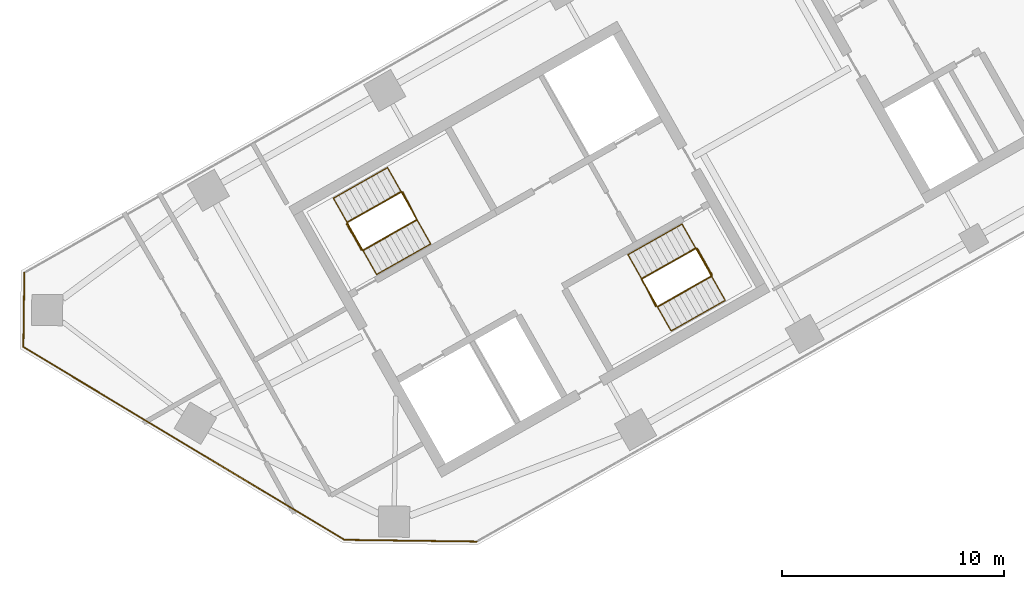
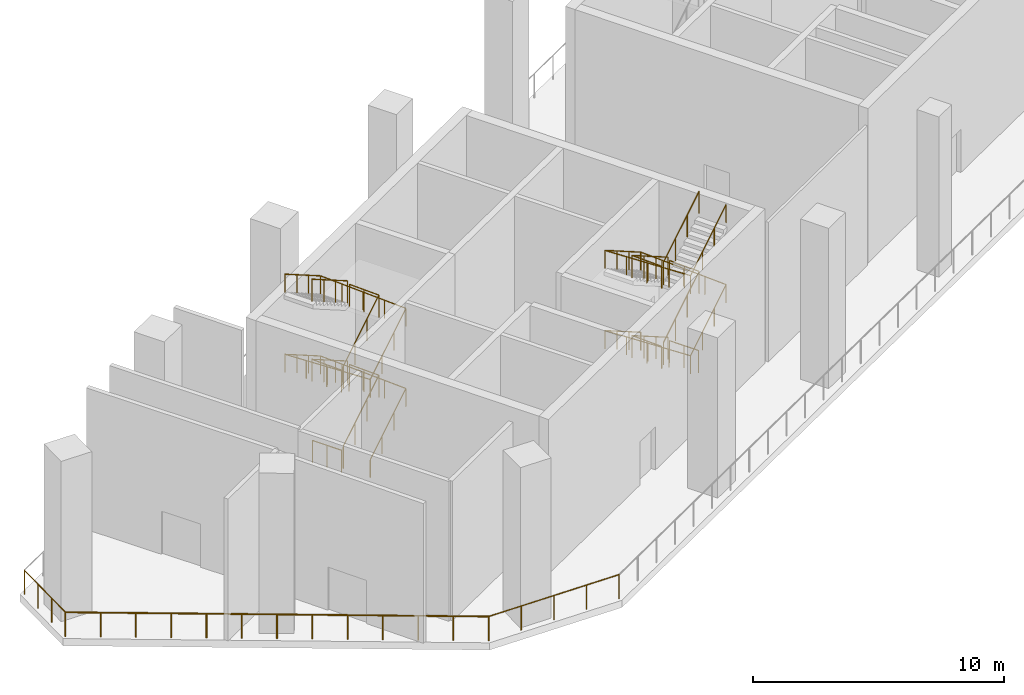
# One storey, part 6 of 8: 15 railings.
"""IFC4 building model written with IfcOpenShell, lengths in metres."""

from ifc_helpers import new_model, si_unit, direction, frame, origin, origin_2d, place, context, subcontext, project, spatial, circle, extrude, material, type_object, element, save


model = new_model("IFC4")

# Units and contexts
model_context = context("Model", 3, precision=1e-05, world=origin(), true_north=direction((0.0, 1.0)))
body_context = subcontext(model_context, "Body", "Model", "MODEL_VIEW")
ifc_project = project(units=[si_unit("LENGTHUNIT", "METRE"), si_unit("AREAUNIT", "SQUARE_METRE"), si_unit("VOLUMEUNIT", "CUBIC_METRE"), si_unit("PLANEANGLEUNIT", "RADIAN"), si_unit("MASSUNIT", "GRAM", prefix="KILO")], contexts=[model_context])

# Site, building, storey
site_placement = place(None, origin())
site = spatial("IfcSite", under=ifc_project, at=site_placement, CompositionType="ELEMENT")
building_placement = place(site_placement, origin())
building = spatial("IfcBuilding", under=site, at=building_placement, Name="Binnacle Exchange Tower", CompositionType="ELEMENT")
storey_placement = place(building_placement, frame((0.0, 0.0, 230.89990234375)))
storey = spatial("IfcBuildingStorey", under=building, at=storey_placement, Name="L51", CompositionType="ELEMENT", Elevation=230.89990234375)

# Railings
ifc_material_1 = material(Name="Bronze anodised aluminium frame", Category="aluminium")
railing_type_1 = type_object("IfcRailingType", Name="GUARD 1200", PredefinedType="GUARDRAIL", material=ifc_material_1)
railing_1_placement = place(storey_placement, frame((-44.1015625, 26.673828125, 0.0)))
element("IfcRailing", 1, at=railing_1_placement, inside=storey, type_object=railing_type_1, Name="Slab edge guard 1 L51", PredefinedType="GUARDRAIL", context=body_context, shape_type="SweptSolid", body=[
    extrude(circle(Radius=0.02392578125, at=origin_2d()), frame((0.0, 0.0, 1.17578125), z_axis=(-0.857164642958, 0.515042498113, 0.0), x_axis=(-0.515042498113, -0.857164642958, 0.0)), (0.0, 0.0, 1.0), 16.873291015625),
    extrude(circle(Radius=0.02099609375, at=origin_2d()), origin(), (0.0, 0.0, 1.0), 1.15185546875),
    extrude(circle(Radius=0.02099609375, at=origin_2d()), frame((-1.205322265625, 0.72412109375, 0.0)), (0.0, 0.0, 1.0), 1.15185546875),
    extrude(circle(Radius=0.02099609375, at=origin_2d()), frame((-2.41064453125, 1.448486328125, 0.0)), (0.0, 0.0, 1.0), 1.15185546875),
    extrude(circle(Radius=0.02099609375, at=origin_2d()), frame((-3.61572265625, 2.172607421875, 0.0)), (0.0, 0.0, 1.0), 1.15185546875),
    extrude(circle(Radius=0.02099609375, at=origin_2d()), frame((-4.821044921875, 2.896728515625, 0.0)), (0.0, 0.0, 1.0), 1.15185546875),
    extrude(circle(Radius=0.02099609375, at=origin_2d()), frame((-6.0263671875, 3.62109375, 0.0)), (0.0, 0.0, 1.0), 1.15185546875),
    extrude(circle(Radius=0.02099609375, at=origin_2d()), frame((-7.2314453125, 4.34521484375, 0.0)), (0.0, 0.0, 1.0), 1.15185546875),
    extrude(circle(Radius=0.02099609375, at=origin_2d()), frame((-8.436767578125, 5.0693359375, 0.0)), (0.0, 0.0, 1.0), 1.15185546875),
    extrude(circle(Radius=0.02099609375, at=origin_2d()), frame((-9.64208984375, 5.793701171875, 0.0)), (0.0, 0.0, 1.0), 1.15185546875),
    extrude(circle(Radius=0.02099609375, at=origin_2d()), frame((-10.847412109375, 6.517822265625, 0.0)), (0.0, 0.0, 1.0), 1.15185546875),
    extrude(circle(Radius=0.02099609375, at=origin_2d()), frame((-12.052734375, 7.241943359375, 0.0)), (0.0, 0.0, 1.0), 1.15185546875),
    extrude(circle(Radius=0.02099609375, at=origin_2d()), frame((-13.2578125, 7.96630859375, 0.0)), (0.0, 0.0, 1.0), 1.15185546875),
    extrude(circle(Radius=0.02099609375, at=origin_2d()), frame((-14.463134765625, 8.6904296875, 0.0)), (0.0, 0.0, 1.0), 1.15185546875),
])
railing_2_placement = place(storey_placement, frame((-58.564697265625, 35.3642578125, 0.0)))
element("IfcRailing", 2, at=railing_2_placement, inside=storey, type_object=railing_type_1, Name="Slab edge guard 2 L51", PredefinedType="GUARDRAIL", context=body_context, shape_type="SweptSolid", body=[
    extrude(circle(Radius=0.02392578125, at=origin_2d()), frame((0.0, 0.0, 1.17578125), z_axis=(0.013029395456, 0.999915113824, 0.0), x_axis=(-0.999915113824, 0.013029395456, 0.0)), (0.0, 0.0, 1.0), 3.35400390625),
    extrude(circle(Radius=0.02099609375, at=origin_2d()), origin(), (0.0, 0.0, 1.0), 1.15185546875),
    extrude(circle(Radius=0.02099609375, at=origin_2d()), frame((0.0146484375, 1.117919921875, 0.0)), (0.0, 0.0, 1.0), 1.15185546875),
    extrude(circle(Radius=0.02099609375, at=origin_2d()), frame((0.029052734375, 2.23583984375, 0.0)), (0.0, 0.0, 1.0), 1.15185546875),
    extrude(circle(Radius=0.02099609375, at=origin_2d()), frame((0.043701171875, 3.353759765625, 0.0)), (0.0, 0.0, 1.0), 1.15185546875),
])
railing_3_placement = place(storey_placement, frame((-38.136474609375, 26.595703125, 0.0)))
element("IfcRailing", 3, at=railing_3_placement, inside=storey, type_object=railing_type_1, Name="Slab edge guard 11 L51", PredefinedType="GUARDRAIL", context=body_context, shape_type="SweptSolid", body=[
    extrude(circle(Radius=0.02392578125, at=origin_2d()), frame((0.0, 0.0, 1.17578125), z_axis=(-0.999914244792, 0.013095917748, 0.0), x_axis=(-0.013095917748, -0.999914244792, 0.0)), (0.0, 0.0, 1.0), 5.965576171875),
    extrude(circle(Radius=0.02099609375, at=origin_2d()), origin(), (0.0, 0.0, 1.0), 1.15185546875),
    extrude(circle(Radius=0.02099609375, at=origin_2d()), frame((-1.4912109375, 0.01953125, 0.0)), (0.0, 0.0, 1.0), 1.15185546875),
    extrude(circle(Radius=0.02099609375, at=origin_2d()), frame((-2.982421875, 0.0390625, 0.0)), (0.0, 0.0, 1.0), 1.15185546875),
    extrude(circle(Radius=0.02099609375, at=origin_2d()), frame((-4.473876953125, 0.05859375, 0.0)), (0.0, 0.0, 1.0), 1.15185546875),
    extrude(circle(Radius=0.02099609375, at=origin_2d()), frame((-5.965087890625, 0.078125, 0.0)), (0.0, 0.0, 1.0), 1.15185546875),
])
ifc_material_2 = material(Name="Steel guard rail", Category="steel")
railing_type_2 = type_object("IfcRailingType", Name="STAIR GUARD 1100", PredefinedType="GUARDRAIL", material=ifc_material_2)
railing_4_placement = place(storey_placement, frame((-43.26171875, 39.71728515625, 0.177490234375)))
element("IfcRailing", 4, at=railing_4_placement, inside=storey, type_object=railing_type_2, Name="L51 STA1 stair guard 1", PredefinedType="GUARDRAIL", context=body_context, shape_type="SweptSolid", body=[
    extrude(circle(Radius=0.02392578125, at=origin_2d()), frame((0.0, 0.0, 1.076171875), z_axis=(0.735358749054, 0.416079564682, 0.534906819964), x_axis=(-0.492453686477, 0.870338650569, 0.0)), (0.0, 0.0, 1.0), 3.31396484375),
    extrude(circle(Radius=0.02392578125, at=origin_2d()), frame((2.43701171875, 1.37890625, 2.8486328125), z_axis=(-0.461100321709, 0.887348011391, 0.0), x_axis=(-0.887348011391, -0.461100321709, 0.0)), (0.0, 0.0, 1.0), 1.40087890625),
    extrude(circle(Radius=0.02099609375, at=origin_2d()), origin(), (0.0, 0.0, 1.0), 1.052001953125),
    extrude(circle(Radius=0.02099609375, at=origin_2d()), frame((0.812255859375, 0.459716796875, 0.5908203125)), (0.0, 0.0, 1.0), 1.052001953125),
    extrude(circle(Radius=0.02099609375, at=origin_2d()), frame((1.624755859375, 0.919189453125, 1.181884765625)), (0.0, 0.0, 1.0), 1.052001953125),
    extrude(circle(Radius=0.02099609375, at=origin_2d()), frame((2.43701171875, 1.37890625, 1.772705078125)), (0.0, 0.0, 1.0), 1.052001953125),
    extrude(circle(Radius=0.02099609375, at=origin_2d()), frame((2.114013671875, 2.00048828125, 1.772705078125)), (0.0, 0.0, 1.0), 1.052001953125),
    extrude(circle(Radius=0.02099609375, at=origin_2d()), frame((1.791015625, 2.6220703125, 1.772705078125)), (0.0, 0.0, 1.0), 1.052001953125),
])
railing_5_placement = place(storey_placement, frame((-41.538818359375, 42.358154296875, 2.12744140625)))
element("IfcRailing", 5, at=railing_5_placement, inside=storey, type_object=railing_type_2, Name="L51 STA1 stair guard 2", PredefinedType="GUARDRAIL", context=body_context, shape_type="SweptSolid", body=[
    extrude(circle(Radius=0.02392578125, at=origin_2d()), frame((0.0, 0.0, 1.076171875), z_axis=(-0.735358749054, -0.416079564682, 0.534906819964), x_axis=(0.492453686477, -0.870338650569, 0.0)), (0.0, 0.0, 1.0), 3.31396484375),
    extrude(circle(Radius=0.02392578125, at=origin_2d()), frame((-2.43701171875, -1.37890625, 2.8486328125), z_axis=(0.461171632143, -0.887310952094, 0.0), x_axis=(0.887310952094, 0.461171632143, 0.0)), (0.0, 0.0, 1.0), 1.40087890625),
    extrude(circle(Radius=0.02099609375, at=origin_2d()), origin(), (0.0, 0.0, 1.0), 1.052001953125),
    extrude(circle(Radius=0.02099609375, at=origin_2d()), frame((-0.812255859375, -0.459716796875, 0.5908203125)), (0.0, 0.0, 1.0), 1.052001953125),
    extrude(circle(Radius=0.02099609375, at=origin_2d()), frame((-1.624755859375, -0.919189453125, 1.181884765625)), (0.0, 0.0, 1.0), 1.052001953125),
    extrude(circle(Radius=0.02099609375, at=origin_2d()), frame((-2.43701171875, -1.37890625, 1.772705078125)), (0.0, 0.0, 1.0), 1.052001953125),
    extrude(circle(Radius=0.02099609375, at=origin_2d()), frame((-2.114013671875, -2.00048828125, 1.772705078125)), (0.0, 0.0, 1.0), 1.052001953125),
    extrude(circle(Radius=0.02099609375, at=origin_2d()), frame((-1.791015625, -2.621826171875, 1.772705078125)), (0.0, 0.0, 1.0), 1.052001953125),
])
railing_6_placement = place(storey_placement, frame((-43.26171875, 39.71728515625, 4.077392578125)))
element("IfcRailing", 6, at=railing_6_placement, inside=storey, type_object=railing_type_2, Name="L51 STA1 stair guard 3", PredefinedType="GUARDRAIL", context=body_context, shape_type="SweptSolid", body=[
    extrude(circle(Radius=0.02392578125, at=origin_2d()), frame((0.0, 0.0, 1.076171875), z_axis=(0.735358749054, 0.416079564682, 0.534906819964), x_axis=(-0.492453686477, 0.870338650569, 0.0)), (0.0, 0.0, 1.0), 3.31396484375),
    extrude(circle(Radius=0.02392578125, at=origin_2d()), frame((2.43701171875, 1.37890625, 2.8486328125), z_axis=(-0.461100321709, 0.887348011391, 0.0), x_axis=(-0.887348011391, -0.461100321709, 0.0)), (0.0, 0.0, 1.0), 1.40087890625),
    extrude(circle(Radius=0.02099609375, at=origin_2d()), origin(), (0.0, 0.0, 1.0), 1.052001953125),
    extrude(circle(Radius=0.02099609375, at=origin_2d()), frame((0.812255859375, 0.459716796875, 0.5908203125)), (0.0, 0.0, 1.0), 1.052001953125),
    extrude(circle(Radius=0.02099609375, at=origin_2d()), frame((1.624755859375, 0.919189453125, 1.181884765625)), (0.0, 0.0, 1.0), 1.052001953125),
    extrude(circle(Radius=0.02099609375, at=origin_2d()), frame((2.43701171875, 1.37890625, 1.772705078125)), (0.0, 0.0, 1.0), 1.052001953125),
    extrude(circle(Radius=0.02099609375, at=origin_2d()), frame((2.114013671875, 2.00048828125, 1.772705078125)), (0.0, 0.0, 1.0), 1.052001953125),
    extrude(circle(Radius=0.02099609375, at=origin_2d()), frame((1.791015625, 2.6220703125, 1.772705078125)), (0.0, 0.0, 1.0), 1.052001953125),
])
railing_7_placement = place(storey_placement, frame((-41.538818359375, 42.358154296875, 6.02734375)))
element("IfcRailing", 7, at=railing_7_placement, inside=storey, type_object=railing_type_2, Name="L51 STA1 stair guard 4", PredefinedType="GUARDRAIL", context=body_context, shape_type="SweptSolid", body=[
    extrude(circle(Radius=0.02392578125, at=origin_2d()), frame((0.0, 0.0, 1.076171875), z_axis=(-0.735358749054, -0.416079564682, 0.534906819964), x_axis=(0.492453686477, -0.870338650569, 0.0)), (0.0, 0.0, 1.0), 3.31396484375),
    extrude(circle(Radius=0.02099609375, at=origin_2d()), origin(), (0.0, 0.0, 1.0), 1.052001953125),
    extrude(circle(Radius=0.02099609375, at=origin_2d()), frame((-0.812255859375, -0.459716796875, 0.5908203125)), (0.0, 0.0, 1.0), 1.052001953125),
    extrude(circle(Radius=0.02099609375, at=origin_2d()), frame((-1.624755859375, -0.919189453125, 1.181884765625)), (0.0, 0.0, 1.0), 1.052001953125),
    extrude(circle(Radius=0.02099609375, at=origin_2d()), frame((-2.43701171875, -1.37890625, 1.772705078125)), (0.0, 0.0, 1.0), 1.052001953125),
])
railing_8_placement = place(storey_placement, frame((-43.329833984375, 39.736328125, 0.0)))
element("IfcRailing", 8, at=railing_8_placement, inside=storey, type_object=railing_type_2, Name="L51 STA1 stair guard 5", PredefinedType="GUARDRAIL", context=body_context, shape_type="SweptSolid", body=[
    extrude(circle(Radius=0.02392578125, at=origin_2d()), frame((0.0, 0.0, 1.076171875), z_axis=(-0.4924922531, 0.870316827734, 0.0), x_axis=(-0.870316827734, -0.4924922531, 0.0)), (0.0, 0.0, 1.0), 1.349853515625),
    extrude(circle(Radius=0.02099609375, at=origin_2d()), origin(), (0.0, 0.0, 1.0), 1.052001953125),
    extrude(circle(Radius=0.02099609375, at=origin_2d()), frame((-0.33251953125, 0.58740234375, 0.0)), (0.0, 0.0, 1.0), 1.052001953125),
    extrude(circle(Radius=0.02099609375, at=origin_2d()), frame((-0.664794921875, 1.1748046875, 0.0)), (0.0, 0.0, 1.0), 1.052001953125),
])
railing_9_placement = place(storey_placement, frame((-28.265380859375, 39.814453125, 0.177490234375)))
element("IfcRailing", 9, at=railing_9_placement, inside=storey, type_object=railing_type_2, Name="L51 STA2 stair guard 1", PredefinedType="GUARDRAIL", context=body_context, shape_type="SweptSolid", body=[
    extrude(circle(Radius=0.02392578125, at=origin_2d()), frame((0.0, 0.0, 1.076171875), z_axis=(-0.735381288273, -0.416018647052, 0.534923215202), x_axis=(0.492387636113, -0.870376019777, 0.0)), (0.0, 0.0, 1.0), 3.31396484375),
    extrude(circle(Radius=0.02392578125, at=origin_2d()), frame((-2.43701171875, -1.378662109375, 2.8486328125), z_axis=(0.460963092712, -0.887419307406, 0.0), x_axis=(0.887419307406, 0.460963092712, 0.0)), (0.0, 0.0, 1.0), 1.40087890625),
    extrude(circle(Radius=0.02099609375, at=origin_2d()), origin(), (0.0, 0.0, 1.0), 1.052001953125),
    extrude(circle(Radius=0.02099609375, at=origin_2d()), frame((-0.812255859375, -0.45947265625, 0.5908203125)), (0.0, 0.0, 1.0), 1.052001953125),
    extrude(circle(Radius=0.02099609375, at=origin_2d()), frame((-1.624755859375, -0.919189453125, 1.181884765625)), (0.0, 0.0, 1.0), 1.052001953125),
    extrude(circle(Radius=0.02099609375, at=origin_2d()), frame((-2.43701171875, -1.378662109375, 1.772705078125)), (0.0, 0.0, 1.0), 1.052001953125),
    extrude(circle(Radius=0.02099609375, at=origin_2d()), frame((-2.1142578125, -2.000244140625, 1.772705078125)), (0.0, 0.0, 1.0), 1.052001953125),
    extrude(circle(Radius=0.02099609375, at=origin_2d()), frame((-1.791259765625, -2.621826171875, 1.772705078125)), (0.0, 0.0, 1.0), 1.052001953125),
])
railing_10_placement = place(storey_placement, frame((-29.988525390625, 37.173583984375, 2.12744140625)))
element("IfcRailing", 10, at=railing_10_placement, inside=storey, type_object=railing_type_2, Name="L51 STA2 stair guard 2", PredefinedType="GUARDRAIL", context=body_context, shape_type="SweptSolid", body=[
    extrude(circle(Radius=0.02392578125, at=origin_2d()), frame((0.0, 0.0, 1.076171875), z_axis=(0.735358749054, 0.416079564682, 0.534906819964), x_axis=(-0.492453686477, 0.870338650569, 0.0)), (0.0, 0.0, 1.0), 3.31396484375),
    extrude(circle(Radius=0.02392578125, at=origin_2d()), frame((2.43701171875, 1.37890625, 2.8486328125), z_axis=(-0.460963092712, 0.887419307406, 0.0), x_axis=(-0.887419307406, -0.460963092712, 0.0)), (0.0, 0.0, 1.0), 1.40087890625),
    extrude(circle(Radius=0.02099609375, at=origin_2d()), origin(), (0.0, 0.0, 1.0), 1.052001953125),
    extrude(circle(Radius=0.02099609375, at=origin_2d()), frame((0.812255859375, 0.459716796875, 0.5908203125)), (0.0, 0.0, 1.0), 1.052001953125),
    extrude(circle(Radius=0.02099609375, at=origin_2d()), frame((1.624755859375, 0.919189453125, 1.181884765625)), (0.0, 0.0, 1.0), 1.052001953125),
    extrude(circle(Radius=0.02099609375, at=origin_2d()), frame((2.43701171875, 1.37890625, 1.772705078125)), (0.0, 0.0, 1.0), 1.052001953125),
    extrude(circle(Radius=0.02099609375, at=origin_2d()), frame((2.1142578125, 2.00048828125, 1.772705078125)), (0.0, 0.0, 1.0), 1.052001953125),
    extrude(circle(Radius=0.02099609375, at=origin_2d()), frame((1.791259765625, 2.6220703125, 1.772705078125)), (0.0, 0.0, 1.0), 1.052001953125),
])
railing_11_placement = place(storey_placement, frame((-28.265380859375, 39.814453125, 4.077392578125)))
element("IfcRailing", 11, at=railing_11_placement, inside=storey, type_object=railing_type_2, Name="L51 STA2 stair guard 3", PredefinedType="GUARDRAIL", context=body_context, shape_type="SweptSolid", body=[
    extrude(circle(Radius=0.02392578125, at=origin_2d()), frame((0.0, 0.0, 1.076171875), z_axis=(-0.735381288273, -0.416018647052, 0.534923215202), x_axis=(0.492387636113, -0.870376019777, 0.0)), (0.0, 0.0, 1.0), 3.31396484375),
    extrude(circle(Radius=0.02392578125, at=origin_2d()), frame((-2.43701171875, -1.378662109375, 2.8486328125), z_axis=(0.460963092712, -0.887419307406, 0.0), x_axis=(0.887419307406, 0.460963092712, 0.0)), (0.0, 0.0, 1.0), 1.40087890625),
    extrude(circle(Radius=0.02099609375, at=origin_2d()), origin(), (0.0, 0.0, 1.0), 1.052001953125),
    extrude(circle(Radius=0.02099609375, at=origin_2d()), frame((-0.812255859375, -0.45947265625, 0.5908203125)), (0.0, 0.0, 1.0), 1.052001953125),
    extrude(circle(Radius=0.02099609375, at=origin_2d()), frame((-1.624755859375, -0.919189453125, 1.181884765625)), (0.0, 0.0, 1.0), 1.052001953125),
    extrude(circle(Radius=0.02099609375, at=origin_2d()), frame((-2.43701171875, -1.378662109375, 1.772705078125)), (0.0, 0.0, 1.0), 1.052001953125),
    extrude(circle(Radius=0.02099609375, at=origin_2d()), frame((-2.1142578125, -2.000244140625, 1.772705078125)), (0.0, 0.0, 1.0), 1.052001953125),
    extrude(circle(Radius=0.02099609375, at=origin_2d()), frame((-1.791259765625, -2.621826171875, 1.772705078125)), (0.0, 0.0, 1.0), 1.052001953125),
])
railing_12_placement = place(storey_placement, frame((-29.988525390625, 37.173583984375, 6.02734375)))
element("IfcRailing", 12, at=railing_12_placement, inside=storey, type_object=railing_type_2, Name="L51 STA2 stair guard 4", PredefinedType="GUARDRAIL", context=body_context, shape_type="SweptSolid", body=[
    extrude(circle(Radius=0.02392578125, at=origin_2d()), frame((0.0, 0.0, 1.076171875), z_axis=(0.735358749054, 0.416079564682, 0.534906819964), x_axis=(-0.492453686477, 0.870338650569, 0.0)), (0.0, 0.0, 1.0), 3.31396484375),
    extrude(circle(Radius=0.02099609375, at=origin_2d()), origin(), (0.0, 0.0, 1.0), 1.052001953125),
    extrude(circle(Radius=0.02099609375, at=origin_2d()), frame((0.812255859375, 0.459716796875, 0.5908203125)), (0.0, 0.0, 1.0), 1.052001953125),
    extrude(circle(Radius=0.02099609375, at=origin_2d()), frame((1.624755859375, 0.919189453125, 1.181884765625)), (0.0, 0.0, 1.0), 1.052001953125),
    extrude(circle(Radius=0.02099609375, at=origin_2d()), frame((2.43701171875, 1.37890625, 1.772705078125)), (0.0, 0.0, 1.0), 1.052001953125),
])
railing_13_placement = place(storey_placement, frame((-28.197265625, 39.795654296875, 0.0)))
element("IfcRailing", 13, at=railing_13_placement, inside=storey, type_object=railing_type_2, Name="L51 STA2 stair guard 5", PredefinedType="GUARDRAIL", context=body_context, shape_type="SweptSolid", body=[
    extrude(circle(Radius=0.02392578125, at=origin_2d()), frame((0.0, 0.0, 1.076171875), z_axis=(0.49241474071, -0.870360685654, 0.0), x_axis=(0.870360685654, 0.49241474071, 0.0)), (0.0, 0.0, 1.0), 1.35009765625),
    extrude(circle(Radius=0.02099609375, at=origin_2d()), origin(), (0.0, 0.0, 1.0), 1.052001953125),
    extrude(circle(Radius=0.02099609375, at=origin_2d()), frame((0.33251953125, -0.58740234375, 0.0)), (0.0, 0.0, 1.0), 1.052001953125),
    extrude(circle(Radius=0.02099609375, at=origin_2d()), frame((0.664794921875, -1.175048828125, 0.0)), (0.0, 0.0, 1.0), 1.052001953125),
])
ifc_material_3 = material(Name="Steel handrail", Category="steel")
railing_type_3 = type_object("IfcRailingType", Name="STAIR HANDRAIL 900", PredefinedType="HANDRAIL", material=ifc_material_3)
railing_14_placement = place(storey_placement, frame((-42.646240234375, 38.62939453125, 0.177490234375)))
element("IfcRailing", 14, at=railing_14_placement, inside=storey, type_object=railing_type_3, Name="L51 STA1 stair handrail 1", PredefinedType="HANDRAIL", context=body_context, shape_type="SweptSolid", body=[
    extrude(circle(Radius=0.02392578125, at=origin_2d()), frame((0.0, 0.0, 0.8759765625), z_axis=(0.735381288273, 0.416018647052, 0.534923215202), x_axis=(-0.492387636113, 0.870376019777, 0.0)), (0.0, 0.0, 1.0), 3.31396484375),
    extrude(circle(Radius=0.02392578125, at=origin_2d()), frame((2.43701171875, 1.378662109375, 2.6484375), z_axis=(-0.491918640963, 0.869486419234, 0.044826526087), x_axis=(-0.870361318571, -0.492413622004, 0.0)), (0.0, 0.0, 1.0), 3.9541015625),
    extrude(circle(Radius=0.02392578125, at=origin_2d()), frame((0.491943359375, 4.816650390625, 2.82568359375), z_axis=(-0.735381288273, -0.416018647052, 0.534923215202), x_axis=(0.492387636113, -0.870376019777, 0.0)), (0.0, 0.0, 1.0), 3.31396484375),
    extrude(circle(Radius=0.02392578125, at=origin_2d()), frame((-1.945068359375, 3.43798828125, 4.5986328125), z_axis=(0.491918640963, -0.869486419234, 0.044826526087), x_axis=(0.870361318571, 0.492413622004, 0.0)), (0.0, 0.0, 1.0), 3.9541015625),
    extrude(circle(Radius=0.02392578125, at=origin_2d()), frame((0.0, 0.0, 4.77587890625), z_axis=(0.735381288273, 0.416018647052, 0.534923215202), x_axis=(-0.492387636113, 0.870376019777, 0.0)), (0.0, 0.0, 1.0), 3.31396484375),
    extrude(circle(Radius=0.02392578125, at=origin_2d()), frame((2.43701171875, 1.378662109375, 6.54833984375), z_axis=(-0.491918640963, 0.869486419234, 0.044826526087), x_axis=(-0.870361318571, -0.492413622004, 0.0)), (0.0, 0.0, 1.0), 3.9541015625),
    extrude(circle(Radius=0.02392578125, at=origin_2d()), frame((0.491943359375, 4.816650390625, 6.7255859375), z_axis=(-0.735381288273, -0.416018647052, 0.534923215202), x_axis=(0.492387636113, -0.870376019777, 0.0)), (0.0, 0.0, 1.0), 3.31396484375),
    extrude(circle(Radius=0.02099609375, at=origin_2d()), origin(), (0.0, 0.0, 1.0), 0.851806640625),
    extrude(circle(Radius=0.02099609375, at=origin_2d()), frame((0.812255859375, 0.45947265625, 0.5908203125)), (0.0, 0.0, 1.0), 0.851806640625),
    extrude(circle(Radius=0.02099609375, at=origin_2d()), frame((1.624755859375, 0.919189453125, 1.181884765625)), (0.0, 0.0, 1.0), 0.851806640625),
    extrude(circle(Radius=0.02099609375, at=origin_2d()), frame((2.43701171875, 1.378662109375, 1.772705078125)), (0.0, 0.0, 1.0), 0.851806640625),
    extrude(circle(Radius=0.02099609375, at=origin_2d()), frame((1.95068359375, 2.23828125, 1.81689453125)), (0.0, 0.0, 1.0), 0.851806640625),
    extrude(circle(Radius=0.02099609375, at=origin_2d()), frame((1.46435546875, 3.09765625, 1.861328125)), (0.0, 0.0, 1.0), 0.851806640625),
    extrude(circle(Radius=0.02099609375, at=origin_2d()), frame((0.978271484375, 3.95703125, 1.90576171875)), (0.0, 0.0, 1.0), 0.851806640625),
    extrude(circle(Radius=0.02099609375, at=origin_2d()), frame((0.491943359375, 4.816650390625, 1.949951171875)), (0.0, 0.0, 1.0), 0.851806640625),
    extrude(circle(Radius=0.02099609375, at=origin_2d()), frame((-0.3203125, 4.357177734375, 2.540771484375)), (0.0, 0.0, 1.0), 0.851806640625),
    extrude(circle(Radius=0.02099609375, at=origin_2d()), frame((-1.1328125, 3.8974609375, 3.1318359375)), (0.0, 0.0, 1.0), 0.851806640625),
    extrude(circle(Radius=0.02099609375, at=origin_2d()), frame((-1.945068359375, 3.43798828125, 3.72265625)), (0.0, 0.0, 1.0), 0.851806640625),
    extrude(circle(Radius=0.02099609375, at=origin_2d()), frame((-1.458740234375, 2.57861328125, 3.76708984375)), (0.0, 0.0, 1.0), 0.851806640625),
    extrude(circle(Radius=0.02099609375, at=origin_2d()), frame((-0.97265625, 1.718994140625, 3.811279296875)), (0.0, 0.0, 1.0), 0.851806640625),
    extrude(circle(Radius=0.02099609375, at=origin_2d()), frame((-0.486328125, 0.859375, 3.85546875)), (0.0, 0.0, 1.0), 0.851806640625),
    extrude(circle(Radius=0.02099609375, at=origin_2d()), frame((0.0, 0.0, 3.89990234375)), (0.0, 0.0, 1.0), 0.851806640625),
    extrude(circle(Radius=0.02099609375, at=origin_2d()), frame((0.812255859375, 0.45947265625, 4.49072265625)), (0.0, 0.0, 1.0), 0.851806640625),
    extrude(circle(Radius=0.02099609375, at=origin_2d()), frame((1.624755859375, 0.919189453125, 5.081787109375)), (0.0, 0.0, 1.0), 0.851806640625),
    extrude(circle(Radius=0.02099609375, at=origin_2d()), frame((2.43701171875, 1.378662109375, 5.672607421875)), (0.0, 0.0, 1.0), 0.851806640625),
    extrude(circle(Radius=0.02099609375, at=origin_2d()), frame((1.95068359375, 2.23828125, 5.716796875)), (0.0, 0.0, 1.0), 0.851806640625),
    extrude(circle(Radius=0.02099609375, at=origin_2d()), frame((1.46435546875, 3.09765625, 5.76123046875)), (0.0, 0.0, 1.0), 0.851806640625),
    extrude(circle(Radius=0.02099609375, at=origin_2d()), frame((0.978271484375, 3.95703125, 5.8056640625)), (0.0, 0.0, 1.0), 0.851806640625),
    extrude(circle(Radius=0.02099609375, at=origin_2d()), frame((0.491943359375, 4.816650390625, 5.849853515625)), (0.0, 0.0, 1.0), 0.851806640625),
    extrude(circle(Radius=0.02099609375, at=origin_2d()), frame((-0.3203125, 4.357177734375, 6.440673828125)), (0.0, 0.0, 1.0), 0.851806640625),
    extrude(circle(Radius=0.02099609375, at=origin_2d()), frame((-1.1328125, 3.8974609375, 7.03173828125)), (0.0, 0.0, 1.0), 0.851806640625),
    extrude(circle(Radius=0.02099609375, at=origin_2d()), frame((-1.945068359375, 3.43798828125, 7.62255859375)), (0.0, 0.0, 1.0), 0.851806640625),
])
railing_15_placement = place(storey_placement, frame((-28.880859375, 40.90234375, 0.177490234375)))
element("IfcRailing", 15, at=railing_15_placement, inside=storey, type_object=railing_type_3, Name="L51 STA2 stair handrail 1", PredefinedType="HANDRAIL", context=body_context, shape_type="SweptSolid", body=[
    extrude(circle(Radius=0.02392578125, at=origin_2d()), frame((0.0, 0.0, 0.8759765625), z_axis=(-0.735381288273, -0.416018647052, 0.534923215202), x_axis=(0.492387636113, -0.870376019777, 0.0)), (0.0, 0.0, 1.0), 3.31396484375),
    extrude(circle(Radius=0.02392578125, at=origin_2d()), frame((-2.43701171875, -1.378662109375, 2.6484375), z_axis=(0.491918640963, -0.869486419234, 0.044826526087), x_axis=(0.870361318571, 0.492413622004, 0.0)), (0.0, 0.0, 1.0), 3.9541015625),
    extrude(circle(Radius=0.02392578125, at=origin_2d()), frame((-0.491943359375, -4.816650390625, 2.82568359375), z_axis=(0.735358749054, 0.416079564682, 0.534906819964), x_axis=(-0.492453686477, 0.870338650569, 0.0)), (0.0, 0.0, 1.0), 3.31396484375),
    extrude(circle(Radius=0.02392578125, at=origin_2d()), frame((1.945068359375, -3.437744140625, 4.5986328125), z_axis=(-0.491945051309, 0.869471352766, 0.044828932754), x_axis=(-0.87034633103, -0.492440112159, 0.0)), (0.0, 0.0, 1.0), 3.953857421875),
    extrude(circle(Radius=0.02392578125, at=origin_2d()), frame((0.0, 0.0, 4.77587890625), z_axis=(-0.735381288273, -0.416018647052, 0.534923215202), x_axis=(0.492387636113, -0.870376019777, 0.0)), (0.0, 0.0, 1.0), 3.31396484375),
    extrude(circle(Radius=0.02392578125, at=origin_2d()), frame((-2.43701171875, -1.378662109375, 6.54833984375), z_axis=(0.491918640963, -0.869486419234, 0.044826526087), x_axis=(0.870361318571, 0.492413622004, 0.0)), (0.0, 0.0, 1.0), 3.9541015625),
    extrude(circle(Radius=0.02392578125, at=origin_2d()), frame((-0.491943359375, -4.816650390625, 6.7255859375), z_axis=(0.735358749054, 0.416079564682, 0.534906819964), x_axis=(-0.492453686477, 0.870338650569, 0.0)), (0.0, 0.0, 1.0), 3.31396484375),
    extrude(circle(Radius=0.02099609375, at=origin_2d()), origin(), (0.0, 0.0, 1.0), 0.851806640625),
    extrude(circle(Radius=0.02099609375, at=origin_2d()), frame((-0.812255859375, -0.45947265625, 0.5908203125)), (0.0, 0.0, 1.0), 0.851806640625),
    extrude(circle(Radius=0.02099609375, at=origin_2d()), frame((-1.624755859375, -0.919189453125, 1.181884765625)), (0.0, 0.0, 1.0), 0.851806640625),
    extrude(circle(Radius=0.02099609375, at=origin_2d()), frame((-2.43701171875, -1.378662109375, 1.772705078125)), (0.0, 0.0, 1.0), 0.851806640625),
    extrude(circle(Radius=0.02099609375, at=origin_2d()), frame((-1.95068359375, -2.23828125, 1.81689453125)), (0.0, 0.0, 1.0), 0.851806640625),
    extrude(circle(Radius=0.02099609375, at=origin_2d()), frame((-1.46435546875, -3.09765625, 1.861328125)), (0.0, 0.0, 1.0), 0.851806640625),
    extrude(circle(Radius=0.02099609375, at=origin_2d()), frame((-0.978271484375, -3.95703125, 1.90576171875)), (0.0, 0.0, 1.0), 0.851806640625),
    extrude(circle(Radius=0.02099609375, at=origin_2d()), frame((-0.491943359375, -4.816650390625, 1.949951171875)), (0.0, 0.0, 1.0), 0.851806640625),
    extrude(circle(Radius=0.02099609375, at=origin_2d()), frame((0.3203125, -4.35693359375, 2.540771484375)), (0.0, 0.0, 1.0), 0.851806640625),
    extrude(circle(Radius=0.02099609375, at=origin_2d()), frame((1.1328125, -3.8974609375, 3.1318359375)), (0.0, 0.0, 1.0), 0.851806640625),
    extrude(circle(Radius=0.02099609375, at=origin_2d()), frame((1.945068359375, -3.437744140625, 3.72265625)), (0.0, 0.0, 1.0), 0.851806640625),
    extrude(circle(Radius=0.02099609375, at=origin_2d()), frame((1.458740234375, -2.578369140625, 3.76708984375)), (0.0, 0.0, 1.0), 0.851806640625),
    extrude(circle(Radius=0.02099609375, at=origin_2d()), frame((0.97265625, -1.71875, 3.811279296875)), (0.0, 0.0, 1.0), 0.851806640625),
    extrude(circle(Radius=0.02099609375, at=origin_2d()), frame((0.486328125, -0.859375, 3.85546875)), (0.0, 0.0, 1.0), 0.851806640625),
    extrude(circle(Radius=0.02099609375, at=origin_2d()), frame((0.0, 0.0, 3.89990234375)), (0.0, 0.0, 1.0), 0.851806640625),
    extrude(circle(Radius=0.02099609375, at=origin_2d()), frame((-0.812255859375, -0.45947265625, 4.49072265625)), (0.0, 0.0, 1.0), 0.851806640625),
    extrude(circle(Radius=0.02099609375, at=origin_2d()), frame((-1.624755859375, -0.919189453125, 5.081787109375)), (0.0, 0.0, 1.0), 0.851806640625),
    extrude(circle(Radius=0.02099609375, at=origin_2d()), frame((-2.43701171875, -1.378662109375, 5.672607421875)), (0.0, 0.0, 1.0), 0.851806640625),
    extrude(circle(Radius=0.02099609375, at=origin_2d()), frame((-1.95068359375, -2.23828125, 5.716796875)), (0.0, 0.0, 1.0), 0.851806640625),
    extrude(circle(Radius=0.02099609375, at=origin_2d()), frame((-1.46435546875, -3.09765625, 5.76123046875)), (0.0, 0.0, 1.0), 0.851806640625),
    extrude(circle(Radius=0.02099609375, at=origin_2d()), frame((-0.978271484375, -3.95703125, 5.8056640625)), (0.0, 0.0, 1.0), 0.851806640625),
    extrude(circle(Radius=0.02099609375, at=origin_2d()), frame((-0.491943359375, -4.816650390625, 5.849853515625)), (0.0, 0.0, 1.0), 0.851806640625),
    extrude(circle(Radius=0.02099609375, at=origin_2d()), frame((0.3203125, -4.35693359375, 6.440673828125)), (0.0, 0.0, 1.0), 0.851806640625),
    extrude(circle(Radius=0.02099609375, at=origin_2d()), frame((1.1328125, -3.8974609375, 7.03173828125)), (0.0, 0.0, 1.0), 0.851806640625),
    extrude(circle(Radius=0.02099609375, at=origin_2d()), frame((1.945068359375, -3.437744140625, 7.62255859375)), (0.0, 0.0, 1.0), 0.851806640625),
])

save(model, "model.ifc")
